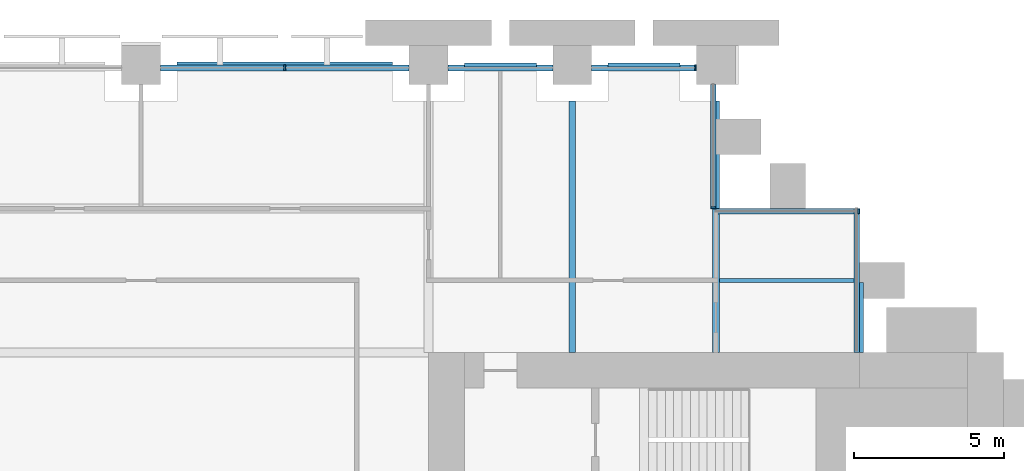
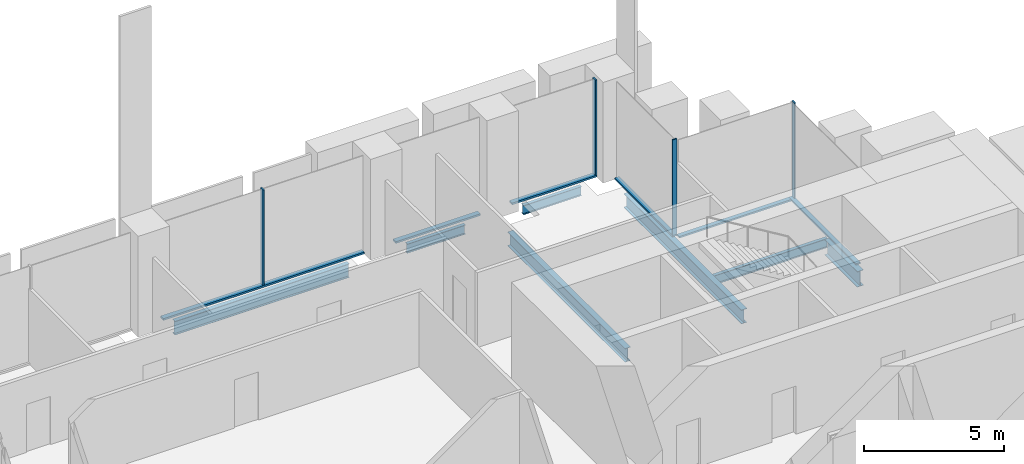
# One storey, part 15 of 32: 10 members, 7 beams, 4 elements without a shape of their own.
"""IFC4 building model written with IfcOpenShell, lengths in metres."""

from ifc_helpers import new_model, si_unit, direction, frame, origin, origin_2d, place, context, subcontext, project, spatial, rectangle, i_section, extrude, material, material_profile, profile_set, type_object, element, aggregate, save


model = new_model("IFC4")

# Units and contexts
model_context = context("Model", 3, precision=1e-05, world=origin(), true_north=direction((0.0, 1.0)))
body_context = subcontext(model_context, "Body", "Model", "MODEL_VIEW")
ifc_project = project(units=[si_unit("LENGTHUNIT", "METRE"), si_unit("AREAUNIT", "SQUARE_METRE"), si_unit("VOLUMEUNIT", "CUBIC_METRE"), si_unit("PLANEANGLEUNIT", "RADIAN"), si_unit("MASSUNIT", "GRAM", prefix="KILO")], contexts=[model_context])

# Site, building, storey
site_placement = place(None, origin())
site = spatial("IfcSite", under=ifc_project, at=site_placement, CompositionType="ELEMENT")
building_placement = place(site_placement, origin())
building = spatial("IfcBuilding", under=site, at=building_placement, Name="Baori Bourse Tower", CompositionType="ELEMENT")
storey_placement = place(building_placement, frame((0.0, 0.0, 12.60009765625)))
storey = spatial("IfcBuildingStorey", under=building, at=storey_placement, Name="L01", CompositionType="ELEMENT", Elevation=12.60009765625)

# Curtain wall, members
ifc_material_1 = material(Name="Pale anodised aluminium", Category="aluminium")
curtain_wall_type_1 = type_object("IfcCurtainWallType", Name="CW1 Curtain wall", PredefinedType="NOTDEFINED", material=ifc_material_1)
curtain_wall_1_placement = place(storey_placement, origin())
curtain_wall_1 = element("IfcCurtainWall", 1, at=curtain_wall_1_placement, inside=storey, type_object=curtain_wall_type_1, Name="Curtain wall CW1 L01 4", PredefinedType="NOTDEFINED")
ifc_material_2 = material(Name="Pale anodised aluminium", Category="aluminium")
ifc_material_profile_1 = material_profile(ifc_material_2, rectangle(XDim=0.199951171875, YDim=0.06005859375, at=origin_2d()), Name="Mullion 60x200")
ifc_profile_set_1 = profile_set([ifc_material_profile_1], Name="Pale anodised aluminium")
member_type_1 = type_object("IfcMemberType", Name="CW1 Curtain wall mullion", PredefinedType="MULLION", material=ifc_profile_set_1)
member_1_placement = place(storey_placement, frame((47.320068359375, 47.89990234375, 0.079833984375), z_axis=(0.0, 0.0, 1.0), x_axis=(0.0, -1.0, 0.0)))
member_1 = element("IfcMember", 2, at=member_1_placement, type_object=member_type_1, Name="Curtain wall CW1 mullion", PredefinedType="MULLION", context=body_context, shape_type="SweptSolid", body=[
    extrude(rectangle(XDim=0.199951171875, YDim=0.06005859375, at=origin_2d()), origin(), (0.0, 0.0, 1.0), 4.16015625),
])
member_2_placement = place(storey_placement, frame((33.60009765625, 47.89990234375, 0.079833984375), z_axis=(0.0, 0.0, 1.0), x_axis=(0.0, -1.0, 0.0)))
member_2 = element("IfcMember", 3, at=member_2_placement, type_object=member_type_1, Name="Curtain wall CW1 mullion", PredefinedType="MULLION", context=body_context, shape_type="SweptSolid", body=[
    extrude(rectangle(XDim=0.199951171875, YDim=0.06005859375, at=origin_2d()), origin(), (0.0, 0.0, 1.0), 4.16015625),
])
ifc_material_3 = material(Name="Pale anodised aluminium", Category="aluminium")
ifc_material_profile_2 = material_profile(ifc_material_3, rectangle(XDim=0.199951171875, YDim=0.080078125, at=origin_2d()), Name="Transom 80x200")
ifc_profile_set_2 = profile_set([ifc_material_profile_2], Name="Pale anodised aluminium")
member_type_2 = type_object("IfcMemberType", Name="CW1 Curtain wall transom", PredefinedType="USERDEFINED", material=ifc_profile_set_2)
member_3_placement = place(storey_placement, frame((47.35009765625, 47.89990234375, 0.039794921875), z_axis=(-1.0, 0.0, 0.0), x_axis=(0.0, -1.0, 0.0)))
member_3 = element("IfcMember", 4, at=member_3_placement, type_object=member_type_2, Name="Curtain wall CW1 sill rail", ObjectType="TRANSOM", PredefinedType="USERDEFINED", context=body_context, shape_type="SweptSolid", body=[
    extrude(rectangle(XDim=0.199951171875, YDim=0.080078125, at=origin_2d()), origin(), (0.0, 0.0, 1.0), 3.5),
])
member_4_placement = place(storey_placement, frame((42.550048828125, 47.89990234375, 0.039794921875), z_axis=(-1.0, 0.0, 0.0), x_axis=(0.0, -1.0, 0.0)))
member_4 = element("IfcMember", 5, at=member_4_placement, type_object=member_type_2, Name="Curtain wall CW1 sill rail", ObjectType="TRANSOM", PredefinedType="USERDEFINED", context=body_context, shape_type="SweptSolid", body=[
    extrude(rectangle(XDim=0.199951171875, YDim=0.080078125, at=origin_2d()), origin(), (0.0, 0.0, 1.0), 3.5),
])
member_5_placement = place(storey_placement, frame((37.75, 47.89990234375, 0.039794921875), z_axis=(-1.0, 0.0, 0.0), x_axis=(0.0, -1.0, 0.0)))
member_5 = element("IfcMember", 6, at=member_5_placement, type_object=member_type_2, Name="Curtain wall CW1 sill rail", ObjectType="TRANSOM", PredefinedType="USERDEFINED", context=body_context, shape_type="SweptSolid", body=[
    extrude(rectangle(XDim=0.199951171875, YDim=0.080078125, at=origin_2d()), origin(), (0.0, 0.0, 1.0), 8.300048828125),
])
aggregate(curtain_wall_1, [member_3, member_1, member_4, member_5, member_2])

# Curtain wall, member
ifc_material_4 = material(Name="Pale anodised aluminium", Category="aluminium")
curtain_wall_type_2 = type_object("IfcCurtainWallType", Name="CW2 Curtain wall", PredefinedType="NOTDEFINED", material=ifc_material_4)
curtain_wall_2_placement = place(storey_placement, origin())
curtain_wall_2 = element("IfcCurtainWall", 7, at=curtain_wall_2_placement, inside=storey, type_object=curtain_wall_type_2, Name="Curtain wall CW2 L01 2", PredefinedType="NOTDEFINED")
ifc_material_5 = material(Name="Pale anodised aluminium", Category="aluminium")
ifc_material_profile_3 = material_profile(ifc_material_5, rectangle(XDim=0.179931640625, YDim=0.054931640625, at=origin_2d()), Name="Mullion 55x180")
ifc_profile_set_3 = profile_set([ifc_material_profile_3], Name="Pale anodised aluminium")
member_type_3 = type_object("IfcMemberType", Name="CW2 Curtain wall mullion", PredefinedType="MULLION", material=ifc_profile_set_3)
member_6_placement = place(storey_placement, frame((52.7724609375, 43.110107421875, 0.06982421875), z_axis=(0.0, 0.0, 1.0), x_axis=(0.0, -1.0, 0.0)))
member_6 = element("IfcMember", 8, at=member_6_placement, type_object=member_type_3, Name="Curtain wall CW2 mullion", PredefinedType="MULLION", context=body_context, shape_type="SweptSolid", body=[
    extrude(rectangle(XDim=0.179931640625, YDim=0.054931640625, at=origin_2d()), origin(), (0.0, 0.0, 1.0), 4.170166015625),
])

curtain_wall_3_placement = place(storey_placement, origin())
curtain_wall_3 = element("IfcCurtainWall", 9, at=curtain_wall_3_placement, inside=storey, type_object=curtain_wall_type_2, Name="Curtain wall CW2 L01 3", PredefinedType="NOTDEFINED")
member_7_placement = place(storey_placement, frame((47.909912109375, 43.2275390625, 0.06982421875), z_axis=(0.0, 0.0, 1.0), x_axis=(-1.0, 0.0, 0.0)))
member_7 = element("IfcMember", 10, at=member_7_placement, type_object=member_type_3, Name="Curtain wall CW2 mullion", PredefinedType="MULLION", context=body_context, shape_type="SweptSolid", body=[
    extrude(rectangle(XDim=0.179931640625, YDim=0.054931640625, at=origin_2d()), origin(), (0.0, 0.0, 1.0), 4.170166015625),
])

curtain_wall_4_placement = place(storey_placement, origin())
curtain_wall_4 = element("IfcCurtainWall", 11, at=curtain_wall_4_placement, inside=storey, type_object=curtain_wall_type_2, Name="Curtain wall CW2 L01 1", PredefinedType="NOTDEFINED")
ifc_material_6 = material(Name="Pale anodised aluminium", Category="aluminium")
ifc_material_profile_4 = material_profile(ifc_material_6, rectangle(XDim=0.179931640625, YDim=0.070068359375, at=origin_2d()), Name="Transom 70x180")
ifc_profile_set_4 = profile_set([ifc_material_profile_4], Name="Pale anodised aluminium")
member_type_4 = type_object("IfcMemberType", Name="CW2 Curtain wall transom", PredefinedType="USERDEFINED", material=ifc_profile_set_4)
member_8_placement = place(storey_placement, frame((52.7099609375, 38.39990234375, 0.034912109375), z_axis=(0.0, 1.0, 0.0), x_axis=(-1.0, 0.0, 0.0)))
member_8 = element("IfcMember", 12, at=member_8_placement, type_object=member_type_4, Name="Curtain wall CW2 sill rail", ObjectType="TRANSOM", PredefinedType="USERDEFINED", context=body_context, shape_type="SweptSolid", body=[
    extrude(rectangle(XDim=0.179931640625, YDim=0.070068359375, at=origin_2d()), origin(), (0.0, 0.0, 1.0), 4.800048828125),
])
aggregate(curtain_wall_4, [member_8])

# Member
member_9_placement = place(storey_placement, frame((52.800048828125, 43.110107421875, 0.034912109375), z_axis=(-1.0, 0.0, 0.0), x_axis=(0.0, -1.0, 0.0)))
member_9 = element("IfcMember", 13, at=member_9_placement, type_object=member_type_4, Name="Curtain wall CW2 sill rail", ObjectType="TRANSOM", PredefinedType="USERDEFINED", context=body_context, shape_type="SweptSolid", body=[
    extrude(rectangle(XDim=0.179931640625, YDim=0.070068359375, at=origin_2d()), origin(), (0.0, 0.0, 1.0), 4.800048828125),
])

aggregate(curtain_wall_2, [member_9, member_6])

member_10_placement = place(storey_placement, frame((47.909912109375, 43.199951171875, 0.034912109375), z_axis=(0.0, 1.0, 0.0), x_axis=(-1.0, 0.0, 0.0)))
member_10 = element("IfcMember", 14, at=member_10_placement, type_object=member_type_4, Name="Curtain wall CW2 sill rail", ObjectType="TRANSOM", PredefinedType="USERDEFINED", context=body_context, shape_type="SweptSolid", body=[
    extrude(rectangle(XDim=0.179931640625, YDim=0.070068359375, at=origin_2d()), origin(), (0.0, 0.0, 1.0), 4.150146484375),
])

aggregate(curtain_wall_3, [member_10, member_7])

# Beams
ifc_material_7 = material(Name="Steel A992 Gr 50", Category="steel")
ifc_material_profile_5 = material_profile(ifc_material_7, i_section(OverallWidth=0.25390625, OverallDepth=0.67822265625, WebThickness=0.01171875, FlangeThickness=0.016357421875, at=origin_2d()), Name="W27x84")
ifc_profile_set_5 = profile_set([ifc_material_profile_5], Name="Steel A992 Gr 50")
beam_type_1 = type_object("IfcBeamType", Name="Core bracket W27x84", PredefinedType="BEAM", material=ifc_profile_set_5)
beam_1_placement = place(storey_placement, frame((52.800048828125, 38.39990234375, -0.63916015625), z_axis=(0.0, 1.0, 0.0), x_axis=(-1.0, 0.0, 0.0)))
element("IfcBeam", 15, at=beam_1_placement, inside=storey, type_object=beam_type_1, Name="Core bracket L01", PredefinedType="BEAM", context=body_context, shape_type="SweptSolid", body=[
    extrude(i_section(OverallWidth=0.25390625, OverallDepth=0.67822265625, WebThickness=0.01171875, FlangeThickness=0.016357421875, at=origin_2d()), origin(), (0.0, 0.0, 1.0), 2.329833984375),
])
ifc_material_8 = material(Name="Steel A992 Gr 50", Category="steel")
ifc_material_profile_6 = material_profile(ifc_material_8, i_section(OverallWidth=0.140380859375, OverallDepth=0.40380859375, WebThickness=0.007080078125, FlangeThickness=0.01123046875, at=origin_2d()), Name="W16x31")
ifc_profile_set_6 = profile_set([ifc_material_profile_6], Name="Steel A992 Gr 50")
beam_type_2 = type_object("IfcBeamType", Name="Edge beam W16x31", PredefinedType="BEAM", material=ifc_profile_set_6)
beam_2_placement = place(storey_placement, frame((39.60009765625, 48.0, -0.501953125), z_axis=(1.0, 0.0, 0.0), x_axis=(0.0, 1.0, 0.0)))
element("IfcBeam", 16, at=beam_2_placement, inside=storey, type_object=beam_type_2, Name="Edge beam L01", PredefinedType="BEAM", context=body_context, shape_type="SweptSolid", body=[
    extrude(i_section(OverallWidth=0.140380859375, OverallDepth=0.40380859375, WebThickness=0.007080078125, FlangeThickness=0.01123046875, at=origin_2d()), origin(), (0.0, 0.0, 1.0), 2.39990234375),
])
beam_3_placement = place(storey_placement, frame((44.39990234375, 48.0, -0.501953125), z_axis=(1.0, 0.0, 0.0), x_axis=(0.0, 1.0, 0.0)))
element("IfcBeam", 17, at=beam_3_placement, inside=storey, type_object=beam_type_2, Name="Edge beam L01", PredefinedType="BEAM", context=body_context, shape_type="SweptSolid", body=[
    extrude(i_section(OverallWidth=0.140380859375, OverallDepth=0.40380859375, WebThickness=0.007080078125, FlangeThickness=0.01123046875, at=origin_2d()), origin(), (0.0, 0.0, 1.0), 2.400146484375),
])
ifc_material_9 = material(Name="Steel A992 Gr 50", Category="steel")
ifc_material_profile_7 = material_profile(ifc_material_9, i_section(OverallWidth=0.177978515625, OverallDepth=0.599365234375, WebThickness=0.010009765625, FlangeThickness=0.012939453125, at=origin_2d()), Name="W24x55")
ifc_profile_set_7 = profile_set([ifc_material_profile_7], Name="Steel A992 Gr 50")
beam_type_3 = type_object("IfcBeamType", Name="Edge beam W24x55", PredefinedType="BEAM", material=ifc_profile_set_7)
beam_4_placement = place(storey_placement, frame((30.0, 48.0, -0.599853515625), z_axis=(1.0, 0.0, 0.0), x_axis=(0.0, 1.0, 0.0)))
element("IfcBeam", 18, at=beam_4_placement, inside=storey, type_object=beam_type_3, Name="Edge beam L01", PredefinedType="BEAM", context=body_context, shape_type="SweptSolid", body=[
    extrude(i_section(OverallWidth=0.177978515625, OverallDepth=0.599365234375, WebThickness=0.010009765625, FlangeThickness=0.012939453125, at=origin_2d()), origin(), (0.0, 0.0, 1.0), 7.199951171875),
])
ifc_material_10 = material(Name="Steel A992 Gr 50", Category="steel")
ifc_material_profile_8 = material_profile(ifc_material_10, i_section(OverallWidth=0.227783203125, OverallDepth=0.60205078125, WebThickness=0.010498046875, FlangeThickness=0.014892578125, at=origin_2d()), Name="W24x68")
ifc_profile_set_8 = profile_set([ifc_material_profile_8], Name="Steel A992 Gr 50")
beam_type_4 = type_object("IfcBeamType", Name="Floor beam W24x68", PredefinedType="BEAM", material=ifc_profile_set_8)
beam_5_placement = place(storey_placement, frame((43.199951171875, 38.39990234375, -0.60107421875), z_axis=(0.0, 1.0, 0.0), x_axis=(-1.0, 0.0, 0.0)))
element("IfcBeam", 19, at=beam_5_placement, inside=storey, type_object=beam_type_4, Name="Floor beam L01", PredefinedType="BEAM", context=body_context, shape_type="SweptSolid", body=[
    extrude(i_section(OverallWidth=0.227783203125, OverallDepth=0.60205078125, WebThickness=0.010498046875, FlangeThickness=0.014892578125, at=origin_2d()), origin(), (0.0, 0.0, 1.0), 8.400146484375),
])
ifc_material_11 = material(Name="Steel A992 Gr 50", Category="steel")
ifc_material_profile_9 = material_profile(ifc_material_11, i_section(OverallWidth=0.22900390625, OverallDepth=0.612060546875, WebThickness=0.011962890625, FlangeThickness=0.01953125, at=origin_2d()), Name="W24x84")
ifc_profile_set_9 = profile_set([ifc_material_profile_9], Name="Steel A992 Gr 50")
beam_type_5 = type_object("IfcBeamType", Name="Floor beam W24x84", PredefinedType="BEAM", material=ifc_profile_set_9)
beam_6_placement = place(storey_placement, frame((48.0, 38.39990234375, -0.606201171875), z_axis=(0.0, 1.0, 0.0), x_axis=(-1.0, 0.0, 0.0)))
element("IfcBeam", 20, at=beam_6_placement, inside=storey, type_object=beam_type_5, Name="Floor beam L01", PredefinedType="BEAM", context=body_context, shape_type="SweptSolid", body=[
    extrude(i_section(OverallWidth=0.22900390625, OverallDepth=0.612060546875, WebThickness=0.011962890625, FlangeThickness=0.01953125, at=origin_2d()), origin(), (0.0, 0.0, 1.0), 8.400146484375),
])
ifc_material_12 = material(Name="Steel A992 Gr 50", Category="steel")
ifc_material_profile_10 = material_profile(ifc_material_12, i_section(OverallWidth=0.140380859375, OverallDepth=0.40380859375, WebThickness=0.007080078125, FlangeThickness=0.01123046875, at=origin_2d()), Name="W16x31")
ifc_profile_set_10 = profile_set([ifc_material_profile_10], Name="Steel A992 Gr 50")
beam_type_6 = type_object("IfcBeamType", Name="Trimmer beam W16x31", PredefinedType="BEAM", material=ifc_profile_set_10)
beam_7_placement = place(storey_placement, frame((48.114501953125, 40.800048828125, -0.501953125), z_axis=(1.0, 0.0, 0.0), x_axis=(0.0, 1.0, 0.0)))
element("IfcBeam", 21, at=beam_7_placement, inside=storey, type_object=beam_type_6, Name="Trimmer beam L01", PredefinedType="BEAM", context=body_context, shape_type="SweptSolid", body=[
    extrude(i_section(OverallWidth=0.140380859375, OverallDepth=0.40380859375, WebThickness=0.007080078125, FlangeThickness=0.01123046875, at=origin_2d()), origin(), (0.0, 0.0, 1.0), 4.685546875),
])

save(model, "model.ifc")
